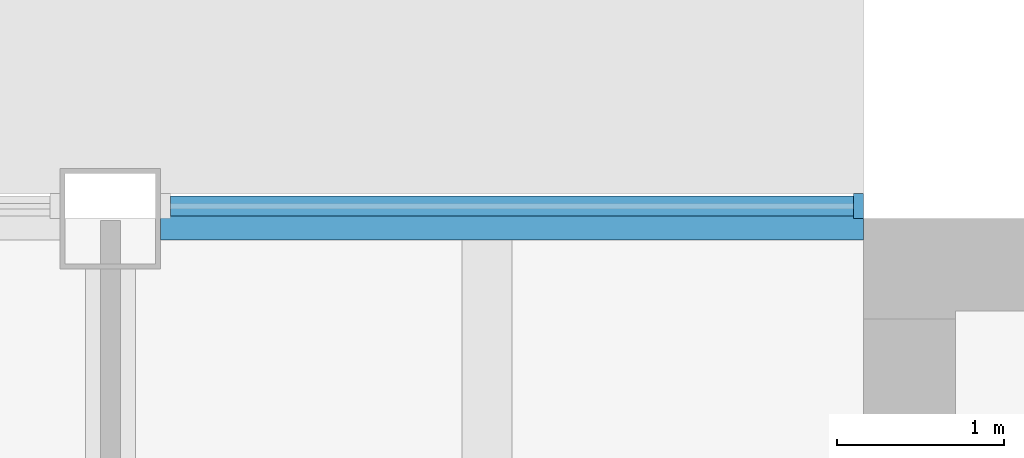
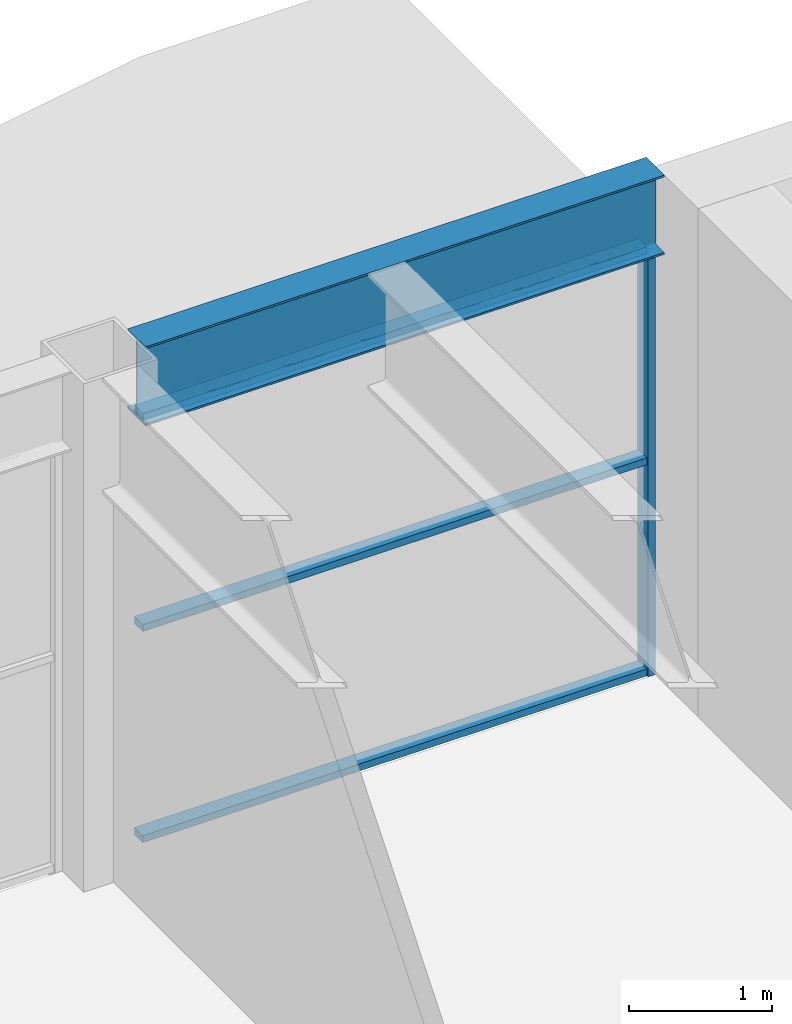
# One storey, part 6 of 14: 4 members, 1 beam, 1 element without a shape of its own.
"""IFC4 building model written with IfcOpenShell, lengths in metres."""

from ifc_helpers import new_model, si_unit, direction, frame, origin, origin_2d, place, context, subcontext, project, spatial, rectangle, i_section, extrude, material, material_profile, profile_set, type_object, element, aggregate, save


model = new_model("IFC4")

# Units and contexts
model_context = context("Model", 3, precision=1e-05, world=origin(), true_north=direction((0.0, 1.0)))
body_context = subcontext(model_context, "Body", "Model", "MODEL_VIEW")
ifc_project = project(units=[si_unit("LENGTHUNIT", "METRE"), si_unit("AREAUNIT", "SQUARE_METRE"), si_unit("VOLUMEUNIT", "CUBIC_METRE"), si_unit("PLANEANGLEUNIT", "RADIAN"), si_unit("MASSUNIT", "GRAM", prefix="KILO")], contexts=[model_context])

# Site, building, storey
site_placement = place(None, origin())
site = spatial("IfcSite", under=ifc_project, at=site_placement, CompositionType="ELEMENT")
building_placement = place(site_placement, origin())
building = spatial("IfcBuilding", under=site, at=building_placement, Name="Sennacour Bend Tower", CompositionType="ELEMENT")
storey_placement = place(building_placement, frame((0.0, 0.0, 332.0)))
storey = spatial("IfcBuildingStorey", under=building, at=storey_placement, Name="L76", CompositionType="ELEMENT", Elevation=332.0)

# Curtain wall, members
ifc_material_1 = material(Name="Bronze anodised aluminium curtain wall with clear glass", Category="aluminium")
curtain_wall_type = type_object("IfcCurtainWallType", Name="CURTAIN WALL EXEC", PredefinedType="NOTDEFINED", material=ifc_material_1)
curtain_wall_placement = place(storey_placement, origin())
curtain_wall = element("IfcCurtainWall", 1, at=curtain_wall_placement, inside=storey, type_object=curtain_wall_type, Name="Executive floor glass wall L76", PredefinedType="NOTDEFINED")
ifc_material_2 = material(Name="Aluminium 6063-T6", Category="aluminium")
ifc_material_profile_1 = material_profile(ifc_material_2, rectangle(XDim=0.14990234375, YDim=0.06005859375, at=origin_2d()), Name="Aluminium 6063-T6", Category="aluminium")
ifc_profile_set_1 = profile_set([ifc_material_profile_1], Name="Aluminium 6063-T6")
member_type_1 = type_object("IfcMemberType", Name="CW-MULLION-150X60", PredefinedType="MULLION", material=ifc_profile_set_1)
member_1_placement = place(storey_placement, frame((53.969970703125, 22.574951171875, 0.0), z_axis=(0.0, 0.0, 1.0), x_axis=(0.0, -1.0, 0.0)))
member_1 = element("IfcMember", 2, at=member_1_placement, type_object=member_type_1, Name="GW3 curtain wall mullion 1", PredefinedType="MULLION", context=body_context, shape_type="SweptSolid", body=[
    extrude(rectangle(XDim=0.14990234375, YDim=0.06005859375, at=origin_2d()), origin(), (0.0, 0.0, 1.0), 3.672119140625),
])
ifc_material_profile_2 = material_profile(ifc_material_2, rectangle(XDim=0.1201171875, YDim=0.06005859375, at=origin_2d()), Name="Aluminium 6063-T6", Category="aluminium")
ifc_profile_set_2 = profile_set([ifc_material_profile_2], Name="Aluminium 6063-T6")
member_type_2 = type_object("IfcMemberType", Name="CW-TRANSOM-120X60", PredefinedType="USERDEFINED", material=ifc_profile_set_2)
member_2_placement = place(storey_placement, frame((53.93994140625, 22.574951171875, 0.030029296875), z_axis=(-1.0, 0.0, 0.0), x_axis=(0.0, -1.0, 0.0)))
member_2 = element("IfcMember", 3, at=member_2_placement, type_object=member_type_2, Name="GW3 curtain wall transom 1.1", ObjectType="TRANSOM", PredefinedType="USERDEFINED", context=body_context, shape_type="SweptSolid", body=[
    extrude(rectangle(XDim=0.1201171875, YDim=0.06005859375, at=origin_2d()), origin(), (0.0, 0.0, 1.0), 4.079833984375),
])
member_3_placement = place(storey_placement, frame((53.93994140625, 22.574951171875, 1.8359375), z_axis=(-1.0, 0.0, 0.0), x_axis=(0.0, -1.0, 0.0)))
member_3 = element("IfcMember", 4, at=member_3_placement, type_object=member_type_2, Name="GW3 curtain wall transom 1.2", ObjectType="TRANSOM", PredefinedType="USERDEFINED", context=body_context, shape_type="SweptSolid", body=[
    extrude(rectangle(XDim=0.1201171875, YDim=0.06005859375, at=origin_2d()), origin(), (0.0, 0.0, 1.0), 4.079833984375),
])
member_4_placement = place(storey_placement, frame((53.93994140625, 22.574951171875, 3.64208984375), z_axis=(-1.0, 0.0, 0.0), x_axis=(0.0, -1.0, 0.0)))
member_4 = element("IfcMember", 5, at=member_4_placement, type_object=member_type_2, Name="GW3 curtain wall transom 1.3", ObjectType="TRANSOM", PredefinedType="USERDEFINED", context=body_context, shape_type="SweptSolid", body=[
    extrude(rectangle(XDim=0.1201171875, YDim=0.06005859375, at=origin_2d()), origin(), (0.0, 0.0, 1.0), 4.079833984375),
])
aggregate(curtain_wall, [member_1, member_2, member_3, member_4])

# Beam
ifc_material_3 = material(Name="Steel ASTM A992 Grade 50", Category="steel")
ifc_material_profile_3 = material_profile(ifc_material_3, i_section(OverallWidth=0.25390625, OverallDepth=0.677978515625, WebThickness=0.01171875, FlangeThickness=0.016357421875, FilletRadius=0.01513671875, at=origin_2d()), Name="Steel ASTM A992 Grade 50", Category="steel")
ifc_profile_set_3 = profile_set([ifc_material_profile_3], Name="Steel ASTM A992 Grade 50")
beam_type = type_object("IfcBeamType", Name="Spandrel beam W690X125", PredefinedType="SPANDREL", material=ifc_profile_set_3)
beam_placement = place(storey_placement, frame((49.800048828125, 22.5, 4.010986328125), z_axis=(1.0, 0.0, 0.0), x_axis=(0.0, 1.0, 0.0)))
element("IfcBeam", 6, at=beam_placement, inside=storey, type_object=beam_type, Name="Spandrel beam SP7 L77-017", PredefinedType="SPANDREL", context=body_context, shape_type="SweptSolid", body=[
    extrude(i_section(OverallWidth=0.25390625, OverallDepth=0.677978515625, WebThickness=0.01171875, FlangeThickness=0.016357421875, FilletRadius=0.01513671875, at=origin_2d()), origin(), (0.0, 0.0, 1.0), 4.199951171875),
])

save(model, "model.ifc")
